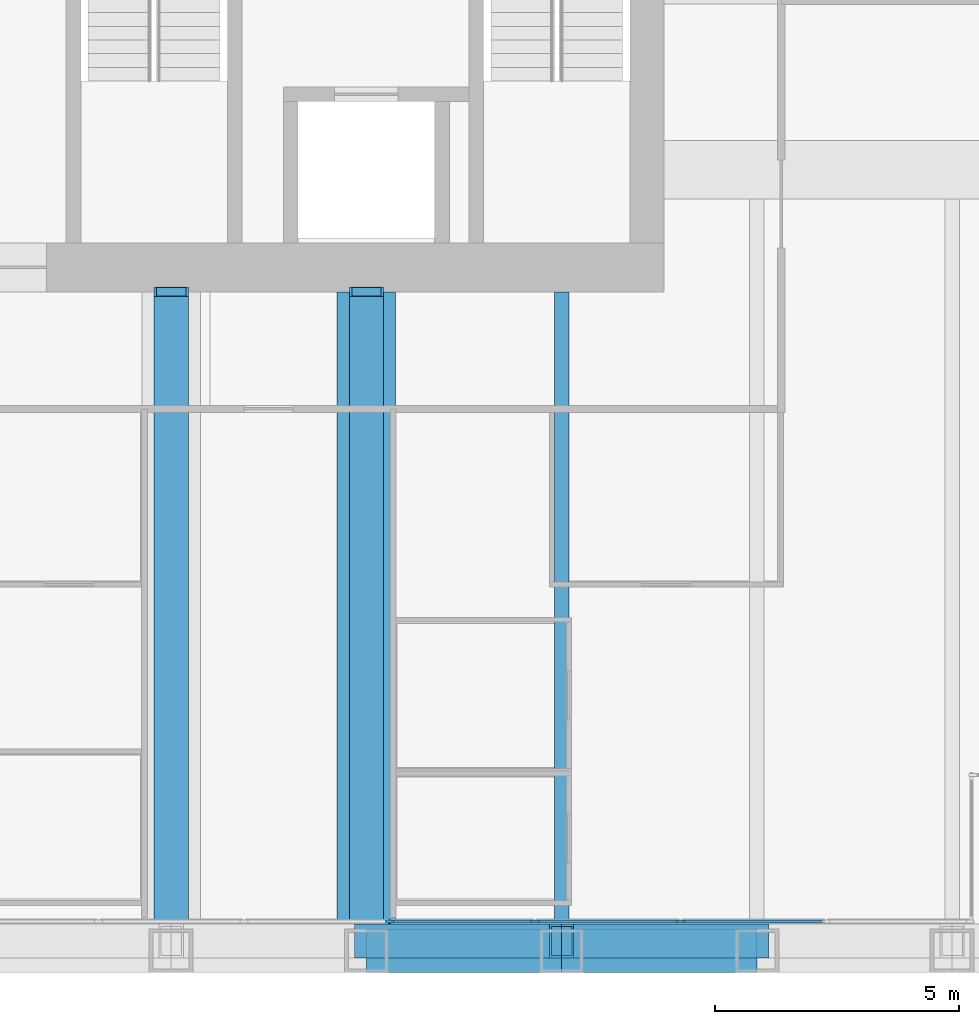
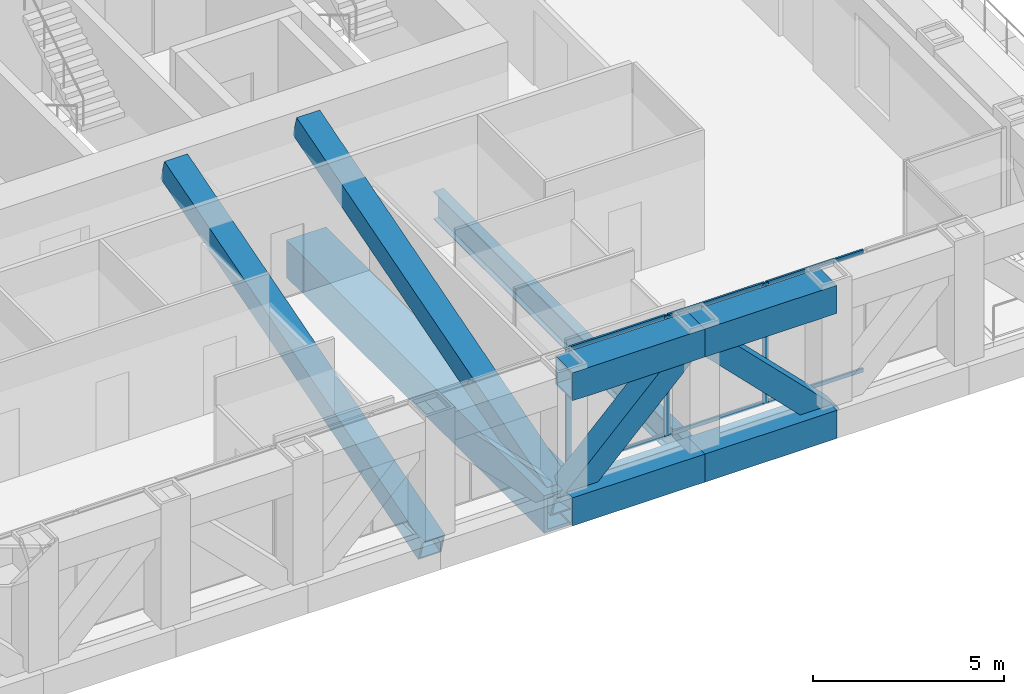
# One storey, part 3 of 14: 13 members, 6 beams, 1 element without a shape of its own.
"""IFC4 building model written with IfcOpenShell, lengths in metres."""

from ifc_helpers import new_model, si_unit, direction, frame, origin, origin_2d, place, context, subcontext, project, spatial, rectangle, hollow_rectangle, i_section, extrude, material, material_profile, profile_set, type_object, element, aggregate, save


model = new_model("IFC4")

# Units and contexts
model_context = context("Model", 3, precision=1e-05, world=origin(), true_north=direction((0.0, 1.0)))
body_context = subcontext(model_context, "Body", "Model", "MODEL_VIEW")
ifc_project = project(units=[si_unit("LENGTHUNIT", "METRE"), si_unit("AREAUNIT", "SQUARE_METRE"), si_unit("VOLUMEUNIT", "CUBIC_METRE"), si_unit("PLANEANGLEUNIT", "RADIAN"), si_unit("MASSUNIT", "GRAM", prefix="KILO")], contexts=[model_context])

# Site, building, storey
site_placement = place(None, origin())
site = spatial("IfcSite", under=ifc_project, at=site_placement, CompositionType="ELEMENT")
building_placement = place(site_placement, origin())
building = spatial("IfcBuilding", under=site, at=building_placement, Name="Rimbunsela Tower", CompositionType="ELEMENT")
storey_placement = place(building_placement, frame((0.0, 0.0, 270.199951171875)))
storey = spatial("IfcBuildingStorey", under=building, at=storey_placement, Name="L65", CompositionType="ELEMENT", Elevation=270.199951171875)

# Beams
ifc_material_1 = material(Name="Steel BJ 55 (fy 410 MPa)", Category="steel")
ifc_material_profile_1 = material_profile(ifc_material_1, hollow_rectangle(XDim=1.199951171875, YDim=1.199951171875, WallThickness=0.10009765625, at=origin_2d()), Name="BOX 1200x1200x100")
ifc_profile_set_1 = profile_set([ifc_material_profile_1], Name="Steel BJ 55 (fy 410 MPa)")
beam_type_1 = type_object("IfcBeamType", Name="Beam BOX 1200x1200x100", PredefinedType="BEAM", material=ifc_profile_set_1)
beam_1_placement = place(storey_placement, frame((30.0, 4.0, -0.75), z_axis=(0.0, 1.0, 0.0), x_axis=(-1.0, 0.0, 0.0)))
element("IfcBeam", 1, at=beam_1_placement, inside=storey, type_object=beam_type_1, Name="Beam B5 L65", PredefinedType="BEAM", context=body_context, shape_type="SweptSolid", body=[
    extrude(hollow_rectangle(XDim=1.199951171875, YDim=1.199951171875, WallThickness=0.10009765625, at=origin_2d()), origin(), (0.0, 0.0, 1.0), 13.5),
])
ifc_material_2 = material(Name="Steel BJ 55 (fy 410 MPa)", Category="steel")
ifc_material_profile_2 = material_profile(ifc_material_2, i_section(OverallWidth=0.300048828125, OverallDepth=0.89990234375, WebThickness=0.01611328125, FlangeThickness=0.028076171875, FilletRadius=0.028076171875, at=origin_2d()), Name="H 900x300x16x28")
ifc_profile_set_2 = profile_set([ifc_material_profile_2], Name="Steel BJ 55 (fy 410 MPa)")
beam_type_2 = type_object("IfcBeamType", Name="Beam H 900x300x16x28", PredefinedType="BEAM", material=ifc_profile_set_2)
beam_2_placement = place(storey_placement, frame((34.0, 4.0, -0.599853515625), z_axis=(0.0, 1.0, 0.0), x_axis=(-1.0, 0.0, 0.0)))
element("IfcBeam", 2, at=beam_2_placement, inside=storey, type_object=beam_type_2, Name="Beam B2 L65", PredefinedType="BEAM", context=body_context, shape_type="SweptSolid", body=[
    extrude(i_section(OverallWidth=0.300048828125, OverallDepth=0.89990234375, WebThickness=0.01611328125, FlangeThickness=0.028076171875, FilletRadius=0.028076171875, at=origin_2d()), origin(), (0.0, 0.0, 1.0), 13.5),
])

# Curtain wall, members
ifc_material_3 = material(Name="Aluminium curtain wall", Category="aluminium")
curtain_wall_type = type_object("IfcCurtainWallType", Name="Exoskeleton storey infill", PredefinedType="USERDEFINED", material=ifc_material_3)
curtain_wall_placement = place(storey_placement, origin())
curtain_wall = element("IfcCurtainWall", 3, at=curtain_wall_placement, inside=storey, type_object=curtain_wall_type, Name="Exoskeleton storey infill L65", ObjectType="EXOSKELETON STOREY INFILL", PredefinedType="USERDEFINED")
ifc_material_4 = material(Name="Aluminium mullion", Category="aluminium")
ifc_material_profile_3 = material_profile(ifc_material_4, rectangle(XDim=0.06005859375, YDim=0.159912109375, at=origin_2d()), Name="Mullion 60x160")
ifc_profile_set_3 = profile_set([ifc_material_profile_3], Name="Aluminium mullion")
member_type_1 = type_object("IfcMemberType", Name="Curtain wall mullion 60x160", PredefinedType="MULLION", material=ifc_profile_set_3)
member_1_placement = place(storey_placement, frame((30.47265625, 4.60009765625, 0.0), z_axis=(0.0, 0.0, 1.0), x_axis=(0.0, 1.0, 0.0)))
member_1 = element("IfcMember", 4, at=member_1_placement, type_object=member_type_1, Name="CW2 mullion 8", PredefinedType="MULLION", context=body_context, shape_type="SweptSolid", body=[
    extrude(rectangle(XDim=0.06005859375, YDim=0.159912109375, at=origin_2d()), origin(), (0.0, 0.0, 1.0), 3.85009765625),
])
member_2_placement = place(storey_placement, frame((33.45458984375, 4.60009765625, 0.0), z_axis=(0.0, 0.0, 1.0), x_axis=(0.0, 1.0, 0.0)))
member_2 = element("IfcMember", 5, at=member_2_placement, type_object=member_type_1, Name="CW2 mullion 9", PredefinedType="MULLION", context=body_context, shape_type="SweptSolid", body=[
    extrude(rectangle(XDim=0.06005859375, YDim=0.159912109375, at=origin_2d()), origin(), (0.0, 0.0, 1.0), 3.85009765625),
])
member_3_placement = place(storey_placement, frame((36.436279296875, 4.60009765625, 0.0), z_axis=(0.0, 0.0, 1.0), x_axis=(0.0, 1.0, 0.0)))
member_3 = element("IfcMember", 6, at=member_3_placement, type_object=member_type_1, Name="CW2 mullion 10", PredefinedType="MULLION", context=body_context, shape_type="SweptSolid", body=[
    extrude(rectangle(XDim=0.06005859375, YDim=0.159912109375, at=origin_2d()), origin(), (0.0, 0.0, 1.0), 3.85009765625),
])
ifc_material_5 = material(Name="Aluminium transom", Category="aluminium")
ifc_material_profile_4 = material_profile(ifc_material_5, rectangle(XDim=0.06005859375, YDim=0.1201171875, at=origin_2d()), Name="Transom 60x120")
ifc_profile_set_4 = profile_set([ifc_material_profile_4], Name="Aluminium transom")
member_type_2 = type_object("IfcMemberType", Name="Curtain wall transom 60x120", PredefinedType="USERDEFINED", material=ifc_profile_set_4)
member_4_placement = place(storey_placement, frame((30.502685546875, 4.60009765625, 0.030029296875), z_axis=(1.0, 0.0, 0.0), x_axis=(0.0, 1.0, 0.0)))
member_4 = element("IfcMember", 7, at=member_4_placement, type_object=member_type_2, Name="CW2 transom 8.1", ObjectType="TRANSOM", PredefinedType="USERDEFINED", context=body_context, shape_type="SweptSolid", body=[
    extrude(rectangle(XDim=0.06005859375, YDim=0.1201171875, at=origin_2d()), origin(), (0.0, 0.0, 1.0), 2.921875),
])
member_5_placement = place(storey_placement, frame((30.502685546875, 4.60009765625, 3.820068359375), z_axis=(1.0, 0.0, 0.0), x_axis=(0.0, 1.0, 0.0)))
member_5 = element("IfcMember", 8, at=member_5_placement, type_object=member_type_2, Name="CW2 transom 8.2", ObjectType="TRANSOM", PredefinedType="USERDEFINED", context=body_context, shape_type="SweptSolid", body=[
    extrude(rectangle(XDim=0.06005859375, YDim=0.1201171875, at=origin_2d()), origin(), (0.0, 0.0, 1.0), 2.921875),
])
member_6_placement = place(storey_placement, frame((33.484619140625, 4.60009765625, 0.030029296875), z_axis=(1.0, 0.0, 0.0), x_axis=(0.0, 1.0, 0.0)))
member_6 = element("IfcMember", 9, at=member_6_placement, type_object=member_type_2, Name="CW2 transom 9.1", ObjectType="TRANSOM", PredefinedType="USERDEFINED", context=body_context, shape_type="SweptSolid", body=[
    extrude(rectangle(XDim=0.06005859375, YDim=0.1201171875, at=origin_2d()), origin(), (0.0, 0.0, 1.0), 2.921630859375),
])
member_7_placement = place(storey_placement, frame((33.484619140625, 4.60009765625, 3.820068359375), z_axis=(1.0, 0.0, 0.0), x_axis=(0.0, 1.0, 0.0)))
member_7 = element("IfcMember", 10, at=member_7_placement, type_object=member_type_2, Name="CW2 transom 9.2", ObjectType="TRANSOM", PredefinedType="USERDEFINED", context=body_context, shape_type="SweptSolid", body=[
    extrude(rectangle(XDim=0.06005859375, YDim=0.1201171875, at=origin_2d()), origin(), (0.0, 0.0, 1.0), 2.921630859375),
])
member_8_placement = place(storey_placement, frame((36.46630859375, 4.60009765625, 0.030029296875), z_axis=(1.0, 0.0, 0.0), x_axis=(0.0, 1.0, 0.0)))
member_8 = element("IfcMember", 11, at=member_8_placement, type_object=member_type_2, Name="CW2 transom 10.1", ObjectType="TRANSOM", PredefinedType="USERDEFINED", context=body_context, shape_type="SweptSolid", body=[
    extrude(rectangle(XDim=0.06005859375, YDim=0.1201171875, at=origin_2d()), origin(), (0.0, 0.0, 1.0), 2.921875),
])
member_9_placement = place(storey_placement, frame((36.46630859375, 4.60009765625, 3.820068359375), z_axis=(1.0, 0.0, 0.0), x_axis=(0.0, 1.0, 0.0)))
member_9 = element("IfcMember", 12, at=member_9_placement, type_object=member_type_2, Name="CW2 transom 10.2", ObjectType="TRANSOM", PredefinedType="USERDEFINED", context=body_context, shape_type="SweptSolid", body=[
    extrude(rectangle(XDim=0.06005859375, YDim=0.1201171875, at=origin_2d()), origin(), (0.0, 0.0, 1.0), 2.921875),
])
aggregate(curtain_wall, [member_1, member_2, member_3, member_4, member_5, member_6, member_7, member_8, member_9])

# Members
ifc_material_6 = material(Name="Steel BJ 55 (fy 410 MPa)", Category="steel")
ifc_material_profile_5 = material_profile(ifc_material_6, hollow_rectangle(XDim=0.699951171875, YDim=0.699951171875, WallThickness=0.050048828125, at=origin_2d()), Name="BOX 700x700x50")
ifc_profile_set_5 = profile_set([ifc_material_profile_5], Name="Steel BJ 55 (fy 410 MPa)")
member_type_3 = type_object("IfcMemberType", Name="Outrigger brace BOX 700x700x50", PredefinedType="BRACE", material=ifc_profile_set_5)
for number, where, z_axis, x_axis, name in (
    (13, (26.0, 4.0, -0.599853515625), (0.0, 0.958798112708, 0.284088329691), (-1.0, 0.0, 0.0), "Outrigger brace OB2 S L65"),
    (14, (30.0, 4.0, -0.599853515625), (0.0, 0.958798112708, 0.284088329691), (-1.0, 0.0, 0.0), "Outrigger brace OB2 S L65"),
):
    element("IfcMember", number, at=place(storey_placement, frame(where, z_axis=z_axis, x_axis=x_axis)), inside=storey, type_object=member_type_3, Name=name, PredefinedType="BRACE", context=body_context, shape_type="SweptSolid", body=[
        extrude(hollow_rectangle(XDim=0.699951171875, YDim=0.699951171875, WallThickness=0.050048828125, at=origin_2d()), origin(), (0.0, 0.0, 1.0), 14.080078125),
    ])

# Beams
ifc_material_7 = material(Name="Steel BJ 55 (fy 410 MPa)", Category="steel")
ifc_material_profile_6 = material_profile(ifc_material_7, hollow_rectangle(XDim=0.89990234375, YDim=0.89990234375, WallThickness=0.06005859375, at=origin_2d()), Name="BOX 900x900x60")
ifc_profile_set_6 = profile_set([ifc_material_profile_6], Name="Steel BJ 55 (fy 410 MPa)")
beam_type_3 = type_object("IfcBeamType", Name="Truss chord BOX 900x900x60", PredefinedType="USERDEFINED", material=ifc_profile_set_6)
for number, where, z_axis, x_axis, name in (
    (15, (30.0, 4.0, 3.400146484375), (1.0, 0.0, 0.0), (0.0, 1.0, 0.0), "Truss top chord TC4 S face L65"),
    (16, (34.0, 4.0, 3.400146484375), (1.0, 0.0, 0.0), (0.0, 1.0, 0.0), "Truss top chord TC4 S face L65"),
    (17, (30.0, 4.0, -0.599853515625), (1.0, 0.0, 0.0), (0.0, 1.0, 0.0), "Truss bottom chord TC4 S face L65"),
    (18, (34.0, 4.0, -0.599853515625), (1.0, 0.0, 0.0), (0.0, 1.0, 0.0), "Truss bottom chord TC4 S face L65"),
):
    element("IfcBeam", number, at=place(storey_placement, frame(where, z_axis=z_axis, x_axis=x_axis)), inside=storey, type_object=beam_type_3, Name=name, ObjectType="TRUSS CHORD", PredefinedType="USERDEFINED", context=body_context, shape_type="SweptSolid", body=[
        extrude(hollow_rectangle(XDim=0.89990234375, YDim=0.89990234375, WallThickness=0.06005859375, at=origin_2d()), origin(), (0.0, 0.0, 1.0), 4.0),
    ])

# Members
ifc_material_8 = material(Name="Steel BJ 55 (fy 410 MPa)", Category="steel")
ifc_material_profile_7 = material_profile(ifc_material_8, hollow_rectangle(XDim=0.699951171875, YDim=0.699951171875, WallThickness=0.050048828125, at=origin_2d()), Name="BOX 700x700x50")
ifc_profile_set_7 = profile_set([ifc_material_profile_7], Name="Steel BJ 55 (fy 410 MPa)")
member_type_4 = type_object("IfcMemberType", Name="Truss diagonal BOX 700x700x50", PredefinedType="BRACE", material=ifc_profile_set_7)
for number, where, z_axis, x_axis, name in (
    (19, (30.0, 4.199951171875, -0.599853515625), (0.707106781187, 0.0, 0.707106781187), (0.0, 1.0, 0.0), "Truss diagonal TD4 S face L65"),
    (20, (34.0, 4.199951171875, 3.400146484375), (0.707106781187, 0.0, -0.707106781187), (0.0, 1.0, 0.0), "Truss diagonal TD4 S face L65"),
):
    element("IfcMember", number, at=place(storey_placement, frame(where, z_axis=z_axis, x_axis=x_axis)), inside=storey, type_object=member_type_4, Name=name, PredefinedType="BRACE", context=body_context, shape_type="SweptSolid", body=[
        extrude(hollow_rectangle(XDim=0.699951171875, YDim=0.699951171875, WallThickness=0.050048828125, at=origin_2d()), origin(), (0.0, 0.0, 1.0), 5.65673828125),
    ])

save(model, "model.ifc")
